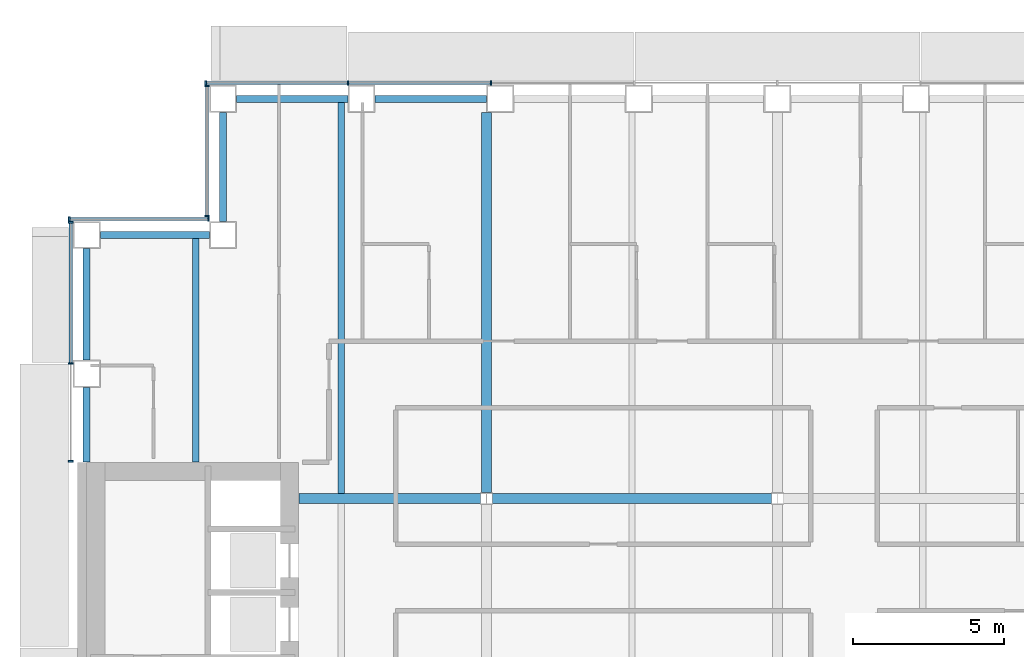
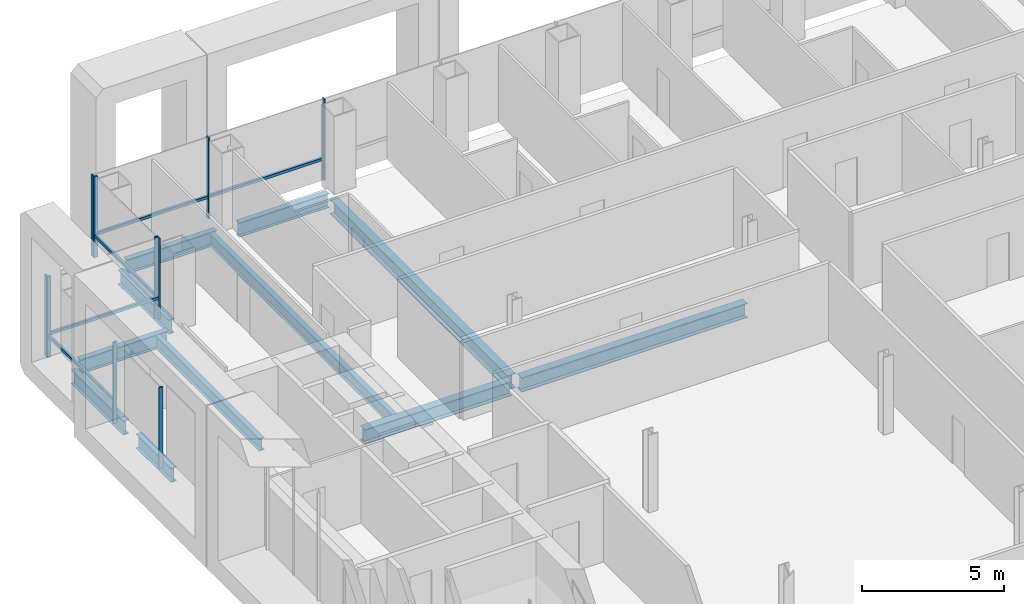
# One storey, part 6 of 20: 15 members, 11 beams, 4 elements without a shape of their own.
"""IFC4 building model written with IfcOpenShell, lengths in metres."""

from ifc_helpers import new_model, si_unit, direction, frame, origin, origin_2d, place, context, subcontext, project, spatial, rectangle, i_section, extrude, material, material_profile, profile_set, type_object, element, aggregate, save


model = new_model("IFC4")

# Units and contexts
model_context = context("Model", 3, precision=1e-05, world=origin(), true_north=direction((0.0, 1.0)))
body_context = subcontext(model_context, "Body", "Model", "MODEL_VIEW")
ifc_project = project(units=[si_unit("LENGTHUNIT", "METRE"), si_unit("AREAUNIT", "SQUARE_METRE"), si_unit("VOLUMEUNIT", "CUBIC_METRE"), si_unit("PLANEANGLEUNIT", "RADIAN"), si_unit("MASSUNIT", "GRAM", prefix="KILO")], contexts=[model_context])

# Site, building, storey
site_placement = place(None, origin())
site = spatial("IfcSite", under=ifc_project, at=site_placement, CompositionType="ELEMENT")
building_placement = place(site_placement, origin())
building = spatial("IfcBuilding", under=site, at=building_placement, Name="Cobrizo Arcos Hotel Tower", CompositionType="ELEMENT")
storey_placement = place(building_placement, frame((0.0, 0.0, 96.0)))
storey = spatial("IfcBuildingStorey", under=building, at=storey_placement, Name="L23", CompositionType="ELEMENT", Elevation=96.0)

# Curtain wall, members
ifc_material_1 = material(Name="Aluminium 6063-T6 anodised bronze", Category="aluminium")
curtain_wall_type = type_object("IfcCurtainWallType", Name="CW-A guest facade", PredefinedType="NOTDEFINED", material=ifc_material_1)
curtain_wall_1_placement = place(storey_placement, origin())
curtain_wall_1 = element("IfcCurtainWall", 1, at=curtain_wall_1_placement, inside=storey, type_object=curtain_wall_type, Name="CW-A L23 N face", PredefinedType="NOTDEFINED")
ifc_material_profile_1 = material_profile(ifc_material_1, rectangle(XDim=0.14990234375, YDim=0.06005859375, at=origin_2d()), Name="CW-A mullion 150x60")
ifc_profile_set_1 = profile_set([ifc_material_profile_1], Name="Aluminium 6063-T6 anodised bronze")
member_type_1 = type_object("IfcMemberType", Name="CW-A mullion 150x60", PredefinedType="MULLION", material=ifc_profile_set_1)
member_1_placement = place(storey_placement, frame((-9.449951171875, 23.324951171875, 0.0), z_axis=(0.0, 0.0, 1.0), x_axis=(0.0, 1.0, 0.0)))
member_1 = element("IfcMember", 2, at=member_1_placement, type_object=member_type_1, Name="CW-A mullion 7", PredefinedType="MULLION", context=body_context, shape_type="SweptSolid", body=[
    extrude(rectangle(XDim=0.14990234375, YDim=0.06005859375, at=origin_2d()), origin(), (0.0, 0.0, 1.0), 3.5),
])
member_2_placement = place(storey_placement, frame((-14.175048828125, 23.324951171875, 0.0), z_axis=(0.0, 0.0, 1.0), x_axis=(0.0, 1.0, 0.0)))
member_2 = element("IfcMember", 3, at=member_2_placement, type_object=member_type_1, Name="CW-A mullion 8", PredefinedType="MULLION", context=body_context, shape_type="SweptSolid", body=[
    extrude(rectangle(XDim=0.14990234375, YDim=0.06005859375, at=origin_2d()), origin(), (0.0, 0.0, 1.0), 3.5),
])
member_3_placement = place(storey_placement, frame((-18.8701171875, 23.324951171875, 0.0), z_axis=(0.0, 0.0, 1.0), x_axis=(0.0, 1.0, 0.0)))
member_3 = element("IfcMember", 4, at=member_3_placement, type_object=member_type_1, Name="CW-A mullion 9", PredefinedType="MULLION", context=body_context, shape_type="SweptSolid", body=[
    extrude(rectangle(XDim=0.14990234375, YDim=0.06005859375, at=origin_2d()), origin(), (0.0, 0.0, 1.0), 3.5),
])

curtain_wall_2_placement = place(storey_placement, origin())
curtain_wall_2 = element("IfcCurtainWall", 5, at=curtain_wall_2_placement, inside=storey, type_object=curtain_wall_type, Name="CW-A L23 W face", PredefinedType="NOTDEFINED")
member_4_placement = place(storey_placement, frame((-18.824951171875, 23.219970703125, 0.0), z_axis=(0.0, 0.0, 1.0), x_axis=(-1.0, 0.0, 0.0)))
member_4 = element("IfcMember", 6, at=member_4_placement, type_object=member_type_1, Name="CW-A mullion 1", PredefinedType="MULLION", context=body_context, shape_type="SweptSolid", body=[
    extrude(rectangle(XDim=0.14990234375, YDim=0.06005859375, at=origin_2d()), origin(), (0.0, 0.0, 1.0), 3.5),
])
member_5_placement = place(storey_placement, frame((-18.824951171875, 18.929931640625, 0.0), z_axis=(0.0, 0.0, 1.0), x_axis=(-1.0, 0.0, 0.0)))
member_5 = element("IfcMember", 7, at=member_5_placement, type_object=member_type_1, Name="CW-A mullion 2", PredefinedType="MULLION", context=body_context, shape_type="SweptSolid", body=[
    extrude(rectangle(XDim=0.14990234375, YDim=0.06005859375, at=origin_2d()), origin(), (0.0, 0.0, 1.0), 3.5),
])

curtain_wall_3_placement = place(storey_placement, origin())
curtain_wall_3 = element("IfcCurtainWall", 8, at=curtain_wall_3_placement, inside=storey, type_object=curtain_wall_type, Name="CW-A L23 N face", PredefinedType="NOTDEFINED")
member_6_placement = place(storey_placement, frame((-18.780029296875, 18.824951171875, 0.0), z_axis=(0.0, 0.0, 1.0), x_axis=(0.0, 1.0, 0.0)))
member_6 = element("IfcMember", 9, at=member_6_placement, type_object=member_type_1, Name="CW-A mullion 1", PredefinedType="MULLION", context=body_context, shape_type="SweptSolid", body=[
    extrude(rectangle(XDim=0.14990234375, YDim=0.06005859375, at=origin_2d()), origin(), (0.0, 0.0, 1.0), 3.5),
])
member_7_placement = place(storey_placement, frame((-23.3701171875, 18.824951171875, 0.0), z_axis=(0.0, 0.0, 1.0), x_axis=(0.0, 1.0, 0.0)))
member_7 = element("IfcMember", 10, at=member_7_placement, type_object=member_type_1, Name="CW-A mullion 2", PredefinedType="MULLION", context=body_context, shape_type="SweptSolid", body=[
    extrude(rectangle(XDim=0.14990234375, YDim=0.06005859375, at=origin_2d()), origin(), (0.0, 0.0, 1.0), 3.5),
])

curtain_wall_4_placement = place(storey_placement, origin())
curtain_wall_4 = element("IfcCurtainWall", 11, at=curtain_wall_4_placement, inside=storey, type_object=curtain_wall_type, Name="CW-A L23 W face", PredefinedType="NOTDEFINED")
member_8_placement = place(storey_placement, frame((-23.324951171875, 18.719970703125, 0.0), z_axis=(0.0, 0.0, 1.0), x_axis=(-1.0, 0.0, 0.0)))
member_8 = element("IfcMember", 12, at=member_8_placement, type_object=member_type_1, Name="CW-A mullion 1", PredefinedType="MULLION", context=body_context, shape_type="SweptSolid", body=[
    extrude(rectangle(XDim=0.14990234375, YDim=0.06005859375, at=origin_2d()), origin(), (0.0, 0.0, 1.0), 3.5),
])
member_9_placement = place(storey_placement, frame((-23.324951171875, 14.0625, 0.0), z_axis=(0.0, 0.0, 1.0), x_axis=(-1.0, 0.0, 0.0)))
member_9 = element("IfcMember", 13, at=member_9_placement, type_object=member_type_1, Name="CW-A mullion 2", PredefinedType="MULLION", context=body_context, shape_type="SweptSolid", body=[
    extrude(rectangle(XDim=0.14990234375, YDim=0.06005859375, at=origin_2d()), origin(), (0.0, 0.0, 1.0), 3.5),
])
member_10_placement = place(storey_placement, frame((-23.324951171875, 10.830078125, 0.0), z_axis=(0.0, 0.0, 1.0), x_axis=(-1.0, 0.0, 0.0)))
member_10 = element("IfcMember", 14, at=member_10_placement, type_object=member_type_1, Name="CW-A mullion 3", PredefinedType="MULLION", context=body_context, shape_type="SweptSolid", body=[
    extrude(rectangle(XDim=0.14990234375, YDim=0.06005859375, at=origin_2d()), origin(), (0.0, 0.0, 1.0), 3.5),
])

# Member
ifc_material_profile_2 = material_profile(ifc_material_1, rectangle(XDim=0.10009765625, YDim=0.1201171875, at=origin_2d()), Name="CW-A transom 120x100")
ifc_profile_set_2 = profile_set([ifc_material_profile_2], Name="Aluminium 6063-T6 anodised bronze")
member_type_2 = type_object("IfcMemberType", Name="CW-A transom 120x100", PredefinedType="USERDEFINED", material=ifc_profile_set_2)
member_11_placement = place(storey_placement, frame((-9.47998046875, 23.324951171875, 0.929931640625), z_axis=(-1.0, 0.0, 0.0), x_axis=(0.0, -1.0, 0.0)))
member_11 = element("IfcMember", 15, at=member_11_placement, type_object=member_type_2, Name="CW-A transom 937", ObjectType="TRANSOM", PredefinedType="USERDEFINED", context=body_context, shape_type="SweptSolid", body=[
    extrude(rectangle(XDim=0.10009765625, YDim=0.1201171875, at=origin_2d()), origin(), (0.0, 0.0, 1.0), 4.6650390625),
])

member_12_placement = place(storey_placement, frame((-14.205078125, 23.324951171875, 0.929931640625), z_axis=(-1.0, 0.0, 0.0), x_axis=(0.0, -1.0, 0.0)))
member_12 = element("IfcMember", 16, at=member_12_placement, type_object=member_type_2, Name="CW-A transom 938", ObjectType="TRANSOM", PredefinedType="USERDEFINED", context=body_context, shape_type="SweptSolid", body=[
    extrude(rectangle(XDim=0.10009765625, YDim=0.1201171875, at=origin_2d()), origin(), (0.0, 0.0, 1.0), 4.635009765625),
])

aggregate(curtain_wall_1, [member_1, member_2, member_3, member_11, member_12])

member_13_placement = place(storey_placement, frame((-18.824951171875, 23.18994140625, 0.929931640625), z_axis=(0.0, -1.0, 0.0), x_axis=(1.0, 0.0, 0.0)))
member_13 = element("IfcMember", 17, at=member_13_placement, type_object=member_type_2, Name="CW-A transom 939", ObjectType="TRANSOM", PredefinedType="USERDEFINED", context=body_context, shape_type="SweptSolid", body=[
    extrude(rectangle(XDim=0.10009765625, YDim=0.1201171875, at=origin_2d()), origin(), (0.0, 0.0, 1.0), 4.22998046875),
])

aggregate(curtain_wall_2, [member_4, member_5, member_13])

member_14_placement = place(storey_placement, frame((-18.81005859375, 18.824951171875, 0.929931640625), z_axis=(-1.0, 0.0, 0.0), x_axis=(0.0, -1.0, 0.0)))
member_14 = element("IfcMember", 18, at=member_14_placement, type_object=member_type_2, Name="CW-A transom 940", ObjectType="TRANSOM", PredefinedType="USERDEFINED", context=body_context, shape_type="SweptSolid", body=[
    extrude(rectangle(XDim=0.10009765625, YDim=0.1201171875, at=origin_2d()), origin(), (0.0, 0.0, 1.0), 4.530029296875),
])

aggregate(curtain_wall_3, [member_6, member_7, member_14])

member_15_placement = place(storey_placement, frame((-23.324951171875, 18.68994140625, 0.929931640625), z_axis=(0.0, -1.0, 0.0), x_axis=(1.0, 0.0, 0.0)))
member_15 = element("IfcMember", 19, at=member_15_placement, type_object=member_type_2, Name="CW-A transom 941", ObjectType="TRANSOM", PredefinedType="USERDEFINED", context=body_context, shape_type="SweptSolid", body=[
    extrude(rectangle(XDim=0.10009765625, YDim=0.1201171875, at=origin_2d()), origin(), (0.0, 0.0, 1.0), 4.597412109375),
])

aggregate(curtain_wall_4, [member_8, member_9, member_10, member_15])

# Beams
ifc_material_2 = material(Name="Steel ASTM A992 Grade 50", Category="steel")
ifc_material_profile_3 = material_profile(ifc_material_2, i_section(OverallWidth=0.209228515625, OverallDepth=0.533447265625, WebThickness=0.01025390625, FlangeThickness=0.015625, at=origin_2d()), Name="W21X62")
ifc_profile_set_3 = profile_set([ifc_material_profile_3], Name="Steel ASTM A992 Grade 50")
beam_type_1 = type_object("IfcBeamType", Name="W21X62 joist", PredefinedType="JOIST", material=ifc_profile_set_3)
beam_1_placement = place(storey_placement, frame((-19.199951171875, 10.81005859375, -0.416748046875), z_axis=(0.0, 1.0, 0.0), x_axis=(-1.0, 0.0, 0.0)))
element("IfcBeam", 20, at=beam_1_placement, inside=storey, type_object=beam_type_1, Name="Floor joist J1, L23, no. 002", PredefinedType="JOIST", context=body_context, shape_type="SweptSolid", body=[
    extrude(i_section(OverallWidth=0.209228515625, OverallDepth=0.533447265625, WebThickness=0.01025390625, FlangeThickness=0.015625, at=origin_2d()), origin(), (0.0, 0.0, 1.0), 7.39990234375),
])
beam_2_placement = place(storey_placement, frame((-14.39990234375, 9.763916015625, -0.416748046875), z_axis=(0.0, 1.0, 0.0), x_axis=(-1.0, 0.0, 0.0)))
element("IfcBeam", 21, at=beam_2_placement, inside=storey, type_object=beam_type_1, Name="Floor joist J1, L23, no. 006", PredefinedType="JOIST", context=body_context, shape_type="SweptSolid", body=[
    extrude(i_section(OverallWidth=0.209228515625, OverallDepth=0.533447265625, WebThickness=0.01025390625, FlangeThickness=0.015625, at=origin_2d()), origin(), (0.0, 0.0, 1.0), 12.946044921875),
])
ifc_material_profile_4 = material_profile(ifc_material_2, i_section(OverallWidth=0.32763671875, OverallDepth=0.622314453125, WebThickness=0.015380859375, FlangeThickness=0.0244140625, at=origin_2d()), Name="W24X131")
ifc_profile_set_4 = profile_set([ifc_material_profile_4], Name="Steel ASTM A992 Grade 50")
beam_type_2 = type_object("IfcBeamType", Name="W24X131 girder", PredefinedType="BEAM", material=ifc_profile_set_4)
beam_3_placement = place(storey_placement, frame((-15.7900390625, 9.60009765625, -0.461181640625), z_axis=(1.0, 0.0, 0.0), x_axis=(0.0, 1.0, 0.0)))
element("IfcBeam", 22, at=beam_3_placement, inside=storey, type_object=beam_type_2, Name="Floor girder G1, L23, no. 009", PredefinedType="BEAM", context=body_context, shape_type="SweptSolid", body=[
    extrude(i_section(OverallWidth=0.32763671875, OverallDepth=0.622314453125, WebThickness=0.015380859375, FlangeThickness=0.0244140625, at=origin_2d()), origin(), (0.0, 0.0, 1.0), 5.99072265625),
])
beam_4_placement = place(storey_placement, frame((-9.400634765625, 9.60009765625, -0.461181640625), z_axis=(1.0, 0.0, 0.0), x_axis=(0.0, 1.0, 0.0)))
element("IfcBeam", 23, at=beam_4_placement, inside=storey, type_object=beam_type_2, Name="Floor girder G1, L23, no. 010", PredefinedType="BEAM", context=body_context, shape_type="SweptSolid", body=[
    extrude(i_section(OverallWidth=0.32763671875, OverallDepth=0.622314453125, WebThickness=0.015380859375, FlangeThickness=0.0244140625, at=origin_2d()), origin(), (0.0, 0.0, 1.0), 9.201171875),
])
beam_5_placement = place(storey_placement, frame((-9.60009765625, 9.79931640625, -0.461181640625), z_axis=(0.0, 1.0, 0.0), x_axis=(-1.0, 0.0, 0.0)))
element("IfcBeam", 24, at=beam_5_placement, inside=storey, type_object=beam_type_2, Name="Floor girder G1, L23, no. 016", PredefinedType="BEAM", context=body_context, shape_type="SweptSolid", body=[
    extrude(i_section(OverallWidth=0.32763671875, OverallDepth=0.622314453125, WebThickness=0.015380859375, FlangeThickness=0.0244140625, at=origin_2d()), origin(), (0.0, 0.0, 1.0), 12.55078125),
])
ifc_material_profile_5 = material_profile(ifc_material_2, i_section(OverallWidth=0.23046875, OverallDepth=0.6171875, WebThickness=0.01318359375, FlangeThickness=0.022216796875, at=origin_2d()), Name="W24X94")
ifc_profile_set_5 = profile_set([ifc_material_profile_5], Name="Steel ASTM A992 Grade 50")
beam_type_3 = type_object("IfcBeamType", Name="W24X94 spandrel", PredefinedType="SPANDREL", material=ifc_profile_set_5)
beam_6_placement = place(storey_placement, frame((-9.60009765625, 22.800048828125, -0.45849609375), z_axis=(-1.0, 0.0, 0.0), x_axis=(0.0, -1.0, 0.0)))
element("IfcBeam", 25, at=beam_6_placement, inside=storey, type_object=beam_type_3, Name="Spandrel beam W24X94, L23, no. 023", PredefinedType="SPANDREL", context=body_context, shape_type="SweptSolid", body=[
    extrude(i_section(OverallWidth=0.23046875, OverallDepth=0.6171875, WebThickness=0.01318359375, FlangeThickness=0.022216796875, at=origin_2d()), origin(), (0.0, 0.0, 1.0), 3.6748046875),
])
beam_7_placement = place(storey_placement, frame((-14.175048828125, 22.800048828125, -0.45849609375), z_axis=(-1.0, 0.0, 0.0), x_axis=(0.0, -1.0, 0.0)))
element("IfcBeam", 26, at=beam_7_placement, inside=storey, type_object=beam_type_3, Name="Spandrel beam W24X94, L23, no. 024", PredefinedType="SPANDREL", context=body_context, shape_type="SweptSolid", body=[
    extrude(i_section(OverallWidth=0.23046875, OverallDepth=0.6171875, WebThickness=0.01318359375, FlangeThickness=0.022216796875, at=origin_2d()), origin(), (0.0, 0.0, 1.0), 3.675048828125),
])
for number, where, z_axis, x_axis, name in (
    (27, (-18.300048828125, 22.35009765625, -0.45849609375), (0.0, -1.0, 0.0), (1.0, 0.0, 0.0), "Spandrel beam W24X94, L23, no. 025"),
    (28, (-18.75, 18.300048828125, -0.45849609375), (-1.0, 0.0, 0.0), (0.0, -1.0, 0.0), "Spandrel beam W24X94, L23, no. 026"),
):
    element("IfcBeam", number, at=place(storey_placement, frame(where, z_axis=z_axis, x_axis=x_axis)), inside=storey, type_object=beam_type_3, Name=name, PredefinedType="SPANDREL", context=body_context, shape_type="SweptSolid", body=[
        extrude(i_section(OverallWidth=0.23046875, OverallDepth=0.6171875, WebThickness=0.01318359375, FlangeThickness=0.022216796875, at=origin_2d()), origin(), (0.0, 0.0, 1.0), 3.60009765625),
    ])
beam_8_placement = place(storey_placement, frame((-22.800048828125, 17.85009765625, -0.45849609375), z_axis=(0.0, -1.0, 0.0), x_axis=(1.0, 0.0, 0.0)))
element("IfcBeam", 29, at=beam_8_placement, inside=storey, type_object=beam_type_3, Name="Spandrel beam W24X94, L23, no. 027", PredefinedType="SPANDREL", context=body_context, shape_type="SweptSolid", body=[
    extrude(i_section(OverallWidth=0.23046875, OverallDepth=0.6171875, WebThickness=0.01318359375, FlangeThickness=0.022216796875, at=origin_2d()), origin(), (0.0, 0.0, 1.0), 3.675048828125),
])
beam_9_placement = place(storey_placement, frame((-22.800048828125, 13.27490234375, -0.45849609375), z_axis=(0.0, -1.0, 0.0), x_axis=(1.0, 0.0, 0.0)))
element("IfcBeam", 30, at=beam_9_placement, inside=storey, type_object=beam_type_3, Name="Spandrel beam W24X94, L23, no. 028", PredefinedType="SPANDREL", context=body_context, shape_type="SweptSolid", body=[
    extrude(i_section(OverallWidth=0.23046875, OverallDepth=0.6171875, WebThickness=0.01318359375, FlangeThickness=0.022216796875, at=origin_2d()), origin(), (0.0, 0.0, 1.0), 2.46484375),
])

save(model, "model.ifc")
